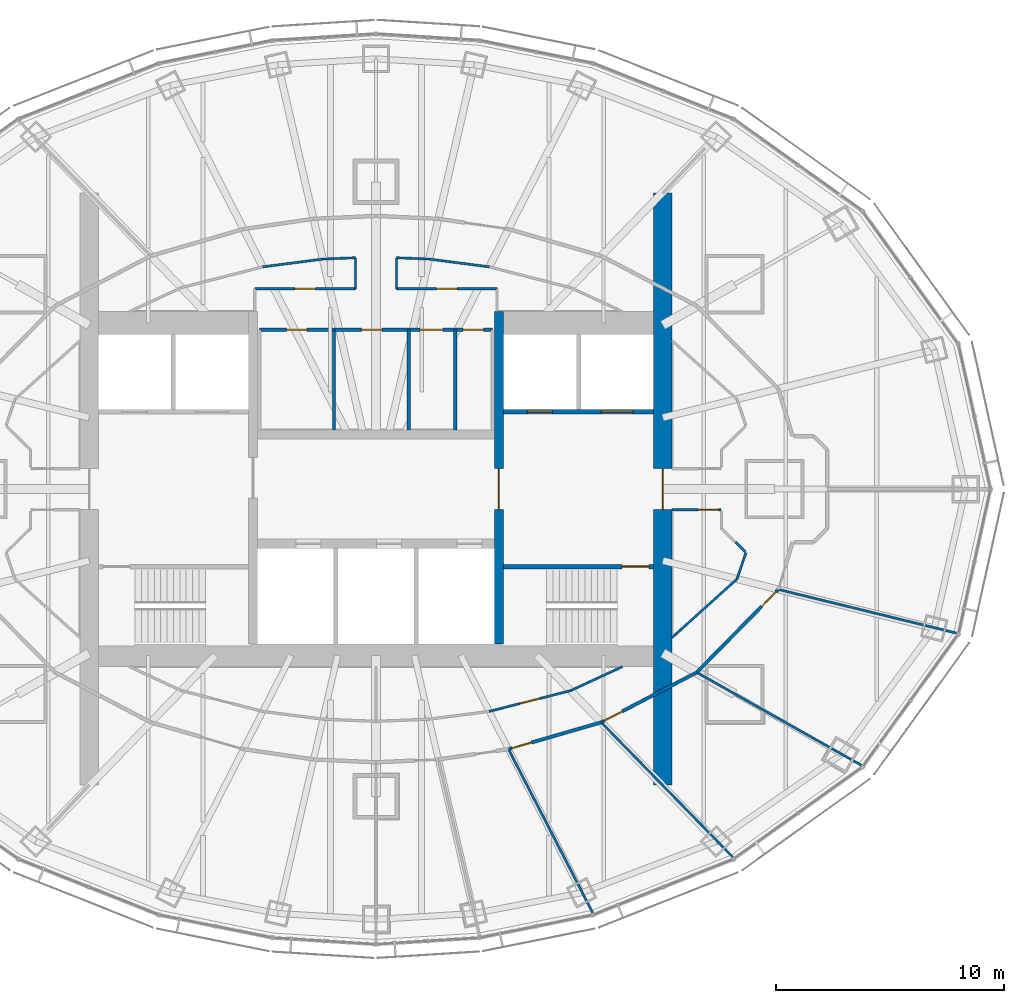
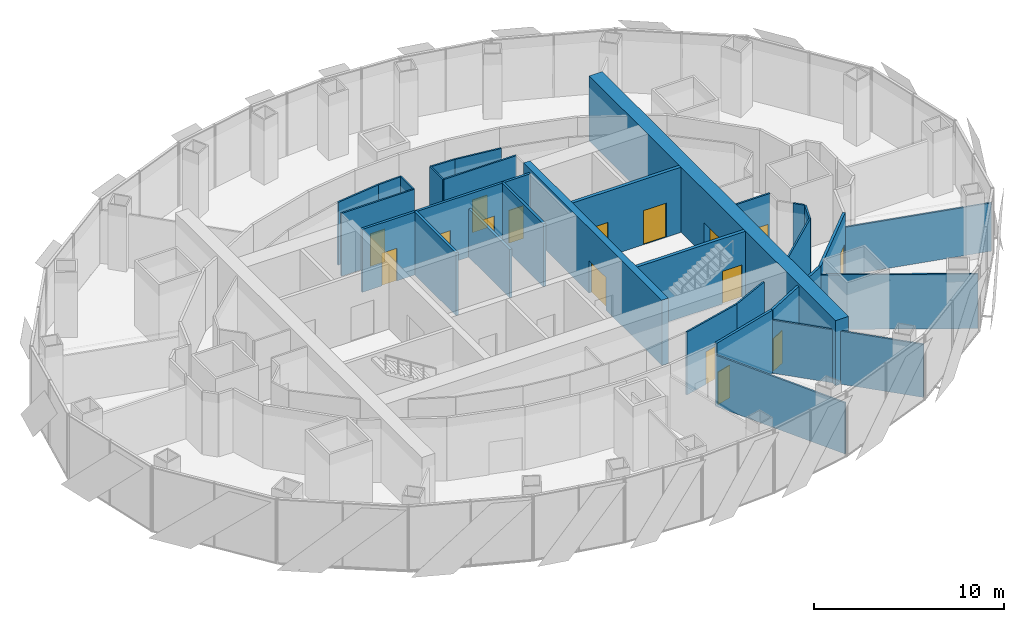
# One storey, part 13 of 17: 29 walls, 16 doors, 16 openings.
"""IFC4 building model written with IfcOpenShell, lengths in metres."""

from ifc_helpers import new_model, si_unit, direction, frame, frame_2d, origin, place, context, subcontext, project, spatial, rectangle, extrude, material, layer, layer_set, type_object, element, fill, save


model = new_model("IFC4")

# Units and contexts
model_context = context("Model", 3, precision=1e-05, world=origin(), true_north=direction((0.0, 1.0)))
body_context = subcontext(model_context, "Body", "Model", "MODEL_VIEW")
ifc_project = project(units=[si_unit("LENGTHUNIT", "METRE"), si_unit("AREAUNIT", "SQUARE_METRE"), si_unit("VOLUMEUNIT", "CUBIC_METRE"), si_unit("PLANEANGLEUNIT", "RADIAN"), si_unit("MASSUNIT", "GRAM", prefix="KILO")], contexts=[model_context])

# Site, building, storey
site_placement = place(None, origin())
site = spatial("IfcSite", under=ifc_project, at=site_placement, CompositionType="ELEMENT")
building_placement = place(site_placement, origin())
building = spatial("IfcBuilding", under=site, at=building_placement, Name="Lantaw Convention Tower", CompositionType="ELEMENT")
storey_placement = place(building_placement, frame((0.0, 0.0, 224.199951171875)))
storey = spatial("IfcBuildingStorey", under=building, at=storey_placement, Name="L52", CompositionType="ELEMENT", Elevation=224.199951171875)

# Wall, opening, door
ifc_material_1 = material(Name="Concrete C60/75", Category="concrete")
ifc_layer_1 = layer(ifc_material_1, 0.199951171875)
ifc_layer_set_1 = layer_set([ifc_layer_1], Name="Core wall 200")
wall_type_1 = type_object("IfcWallType", Name="Core wall 200", PredefinedType="SHEAR", material=ifc_layer_set_1)
wall_1_placement = place(storey_placement, frame((5.60009765625, -3.39990234375, 0.0), z_axis=(0.0, 0.0, 1.0), x_axis=(1.0, 0.0, 0.0)))
wall_1 = element("IfcWall", 1, at=wall_1_placement, inside=storey, type_object=wall_type_1, Name="Core wall ES", PredefinedType="SHEAR", context=body_context, shape_type="SweptSolid", body=[
    extrude(rectangle(XDim=6.599853515625, YDim=0.199951171875, at=frame_2d((3.2998046875, 0.0))), origin(), (0.0, 0.0, 1.0), 4.199951171875),
])
opening_1_placement = place(wall_1_placement, frame((5.199951171875, 0.0, 0.0)))
opening_1 = element("IfcOpeningElement", 2, at=opening_1_placement, cuts=wall_1, Name="Opening L52.03", PredefinedType="OPENING", context=body_context, shape_type="SweptSolid", body=[
    extrude(rectangle(XDim=1.199951171875, YDim=2.10009765625, at=frame_2d((0.60009765625, 1.050048828125))), frame((0.0, 0.10986328125, 0.0), z_axis=(0.0, -1.0, 0.0), x_axis=(1.0, 0.0, 0.0)), (0.0, 0.0, 1.0), 0.219970703125),
])
ifc_material_2 = material(Name="Steel, fire rated", Category="steel")
door_type_1 = type_object("IfcDoorType", Name="Stair door FD90", OperationType="SINGLE_SWING_RIGHT", PredefinedType="DOOR", material=ifc_material_2)
door_1_placement = place(opening_1_placement, origin())
door_1 = element("IfcDoor", 3, at=door_1_placement, inside=storey, type_object=door_type_1, Name="Exit stair door", OperationType="SINGLE_SWING_RIGHT", OverallHeight=2.10009765625, OverallWidth=1.199951171875, PredefinedType="DOOR", context=body_context, shape_type="SweptSolid", body=[
    extrude(rectangle(XDim=1.199951171875, YDim=2.10009765625, at=frame_2d((0.60009765625, 1.050048828125))), frame((0.0, 0.02490234375, 0.0), z_axis=(0.0, -1.0, 0.0), x_axis=(1.0, 0.0, 0.0)), (0.0, 0.0, 1.0), 0.050048828125),
])
fill(opening_1, door_1)

ifc_layer_2 = layer(ifc_material_1, 0.39990234375)
ifc_layer_set_2 = layer_set([ifc_layer_2], Name="Core wall 400")
wall_type_2 = type_object("IfcWallType", Name="Core wall 400", PredefinedType="SHEAR", material=ifc_layer_set_2)
wall_2_placement = place(storey_placement, frame((5.39990234375, -6.800048828125, 0.0), z_axis=(0.0, 0.0, 1.0), x_axis=(0.0, 1.0, 0.0)))
wall_2 = element("IfcWall", 4, at=wall_2_placement, inside=storey, type_object=wall_type_2, Name="Core wall XE", PredefinedType="SHEAR", context=body_context, shape_type="SweptSolid", body=[
    extrude(rectangle(XDim=14.60009765625, YDim=0.39990234375, at=frame_2d((7.300048828125, 0.0))), origin(), (0.0, 0.0, 1.0), 4.199951171875),
])
opening_2_placement = place(wall_2_placement, frame((5.89990234375, 0.0, 0.0)))
opening_2 = element("IfcOpeningElement", 5, at=opening_2_placement, cuts=wall_2, Name="Opening L52.01", PredefinedType="OPENING", context=body_context, shape_type="SweptSolid", body=[
    extrude(rectangle(XDim=1.800048828125, YDim=2.10009765625, at=frame_2d((0.89990234375, 1.050048828125))), frame((0.0, 0.2099609375, 0.0), z_axis=(0.0, -1.0, 0.0), x_axis=(1.0, 0.0, 0.0)), (0.0, 0.0, 1.0), 0.419921875),
])
door_type_2 = type_object("IfcDoorType", Name="Lobby double door FD90", OperationType="DOUBLE_DOOR_DOUBLE_SWING", PredefinedType="DOOR", material=ifc_material_2)
door_2_placement = place(opening_2_placement, origin())
door_2 = element("IfcDoor", 6, at=door_2_placement, inside=storey, type_object=door_type_2, Name="Lift lobby door", OperationType="DOUBLE_DOOR_DOUBLE_SWING", OverallHeight=2.10009765625, OverallWidth=1.800048828125, PredefinedType="DOOR", context=body_context, shape_type="SweptSolid", body=[
    extrude(rectangle(XDim=1.800048828125, YDim=2.10009765625, at=frame_2d((0.89990234375, 1.050048828125))), frame((0.0, 0.02490234375, 0.0), z_axis=(0.0, -1.0, 0.0), x_axis=(1.0, 0.0, 0.0)), (0.0, 0.0, 1.0), 0.050048828125),
])
fill(opening_2, door_2)

ifc_layer_3 = layer(ifc_material_1, 0.800048828125)
ifc_layer_set_3 = layer_set([ifc_layer_3], Name="Core wall 800")
wall_type_3 = type_object("IfcWallType", Name="Core wall 800", PredefinedType="SHEAR", material=ifc_layer_set_3)
wall_3_placement = place(storey_placement, frame((12.60009765625, -13.0, 0.0), z_axis=(0.0, 0.0, 1.0), x_axis=(0.0, 1.0, 0.0)))
wall_3 = element("IfcWall", 7, at=wall_3_placement, inside=storey, type_object=wall_type_3, Name="Core wall E", PredefinedType="SHEAR", context=body_context, shape_type="SweptSolid", body=[
    extrude(rectangle(XDim=26.0, YDim=0.800048828125, at=frame_2d((13.0, 0.0))), origin(), (0.0, 0.0, 1.0), 4.199951171875),
])
opening_3_placement = place(wall_3_placement, frame((12.10009765625, 0.0, 0.0)))
opening_3 = element("IfcOpeningElement", 8, at=opening_3_placement, cuts=wall_3, Name="Opening L52.05", PredefinedType="OPENING", context=body_context, shape_type="SweptSolid", body=[
    extrude(rectangle(XDim=1.800048828125, YDim=2.10009765625, at=frame_2d((0.89990234375, 1.050048828125))), frame((0.0, 0.409912109375, 0.0), z_axis=(0.0, -1.0, 0.0), x_axis=(1.0, 0.0, 0.0)), (0.0, 0.0, 1.0), 0.820068359375),
])
door_3_placement = place(opening_3_placement, origin())
door_3 = element("IfcDoor", 9, at=door_3_placement, inside=storey, type_object=door_type_2, Name="Firefighting lobby door", OperationType="DOUBLE_DOOR_DOUBLE_SWING", OverallHeight=2.10009765625, OverallWidth=1.800048828125, PredefinedType="DOOR", context=body_context, shape_type="SweptSolid", body=[
    extrude(rectangle(XDim=1.800048828125, YDim=2.10009765625, at=frame_2d((0.89990234375, 1.050048828125))), frame((0.0, 0.02490234375, 0.0), z_axis=(0.0, -1.0, 0.0), x_axis=(1.0, 0.0, 0.0)), (0.0, 0.0, 1.0), 0.050048828125),
])
fill(opening_3, door_3)

ifc_material_3 = material(Name="Gypsum board on steel studs, fire rated", Category="steel")
ifc_layer_4 = layer(ifc_material_3, 0.14990234375)
ifc_layer_set_4 = layer_set([ifc_layer_4], Name="Corridor wall 150 EI 60")
wall_type_4 = type_object("IfcWallType", Name="Corridor wall 150 EI 60", PredefinedType="PARTITIONING", material=ifc_layer_set_4)
wall_4_placement = place(storey_placement, frame((5.8203125, -11.423095703125, 0.0), z_axis=(0.0, 0.0, 1.0), x_axis=(0.960614838378, 0.27788330696, 0.0)))
wall_4 = element("IfcWall", 10, at=wall_4_placement, inside=storey, type_object=wall_type_4, Name="Corridor wall 150", PredefinedType="PARTITIONING", context=body_context, shape_type="SweptSolid", body=[
    extrude(rectangle(XDim=4.239990234375, YDim=0.14990234375, at=frame_2d((2.1201171875, 0.0))), origin(), (0.0, 0.0, 1.0), 4.050048828125),
])
opening_4_placement = place(wall_4_placement, frame((0.14990234375, 0.0, 0.0)))
opening_4 = element("IfcOpeningElement", 11, at=opening_4_placement, cuts=wall_4, Name="Opening L52.32", PredefinedType="OPENING", context=body_context, shape_type="SweptSolid", body=[
    extrude(rectangle(XDim=0.89990234375, YDim=2.10009765625, at=frame_2d((0.449951171875, 1.050048828125))), frame((0.0, 0.0849609375, 0.0), z_axis=(0.0, -1.0, 0.0), x_axis=(1.0, 0.0, 0.0)), (0.0, 0.0, 1.0), 0.169921875),
])
door_type_3 = type_object("IfcDoorType", Name="Office door 900 FD30", OperationType="SINGLE_SWING_LEFT", PredefinedType="DOOR", material=ifc_material_2)
door_4_placement = place(opening_4_placement, origin())
door_4 = element("IfcDoor", 12, at=door_4_placement, inside=storey, type_object=door_type_3, Name="Quiet room door", OperationType="SINGLE_SWING_LEFT", OverallHeight=2.10009765625, OverallWidth=0.89990234375, PredefinedType="DOOR", context=body_context, shape_type="SweptSolid", body=[
    extrude(rectangle(XDim=0.89990234375, YDim=2.10009765625, at=frame_2d((0.449951171875, 1.050048828125))), frame((0.0, 0.02490234375, 0.0), z_axis=(0.0, -1.0, 0.0), x_axis=(1.0, 0.0, 0.0)), (0.0, 0.0, 1.0), 0.050048828125),
])
fill(opening_4, door_4)

wall_5_placement = place(storey_placement, frame((9.893310546875, -10.244873046875, 0.0), z_axis=(0.0, 0.0, 1.0), x_axis=(0.886174439647, 0.463351769735, 0.0)))
wall_5 = element("IfcWall", 13, at=wall_5_placement, inside=storey, type_object=wall_type_4, Name="Corridor wall 150", PredefinedType="PARTITIONING", context=body_context, shape_type="SweptSolid", body=[
    extrude(rectangle(XDim=4.734619140625, YDim=0.14990234375, at=frame_2d((2.3671875, 0.0))), origin(), (0.0, 0.0, 1.0), 4.050048828125),
])
opening_5_placement = place(wall_5_placement, frame((0.14990234375, 0.0, 0.0)))
opening_5 = element("IfcOpeningElement", 14, at=opening_5_placement, cuts=wall_5, Name="Opening L52.33", PredefinedType="OPENING", context=body_context, shape_type="SweptSolid", body=[
    extrude(rectangle(XDim=0.89990234375, YDim=2.10009765625, at=frame_2d((0.449951171875, 1.050048828125))), frame((0.0, 0.0849609375, 0.0), z_axis=(0.0, -1.0, 0.0), x_axis=(1.0, 0.0, 0.0)), (0.0, 0.0, 1.0), 0.169921875),
])
door_5_placement = place(opening_5_placement, origin())
door_5 = element("IfcDoor", 15, at=door_5_placement, inside=storey, type_object=door_type_3, Name="Nap room door", OperationType="SINGLE_SWING_LEFT", OverallHeight=2.10009765625, OverallWidth=0.89990234375, PredefinedType="DOOR", context=body_context, shape_type="SweptSolid", body=[
    extrude(rectangle(XDim=0.89990234375, YDim=2.10009765625, at=frame_2d((0.449951171875, 1.050048828125))), frame((0.0, 0.02490234375, 0.0), z_axis=(0.0, -1.0, 0.0), x_axis=(1.0, 0.0, 0.0)), (0.0, 0.0, 1.0), 0.050048828125),
])
fill(opening_5, door_5)

wall_6_placement = place(storey_placement, frame((14.089111328125, -8.051025390625, 0.0), z_axis=(0.0, 0.0, 1.0), x_axis=(0.701111216625, 0.713051934941, 0.0)))
wall_6 = element("IfcWall", 16, at=wall_6_placement, inside=storey, type_object=wall_type_4, Name="Corridor wall 150", PredefinedType="PARTITIONING", context=body_context, shape_type="SweptSolid", body=[
    extrude(rectangle(XDim=5.111572265625, YDim=0.14990234375, at=frame_2d((2.5556640625, 0.0))), origin(), (0.0, 0.0, 1.0), 4.050048828125),
])
opening_6_placement = place(wall_6_placement, frame((4.061279296875, 0.0, 0.0)))
opening_6 = element("IfcOpeningElement", 17, at=opening_6_placement, cuts=wall_6, Name="Opening L52.34", PredefinedType="OPENING", context=body_context, shape_type="SweptSolid", body=[
    extrude(rectangle(XDim=0.89990234375, YDim=2.10009765625, at=frame_2d((0.449951171875, 1.050048828125))), frame((0.0, 0.0849609375, 0.0), z_axis=(0.0, -1.0, 0.0), x_axis=(1.0, 0.0, 0.0)), (0.0, 0.0, 1.0), 0.169921875),
])
door_6_placement = place(opening_6_placement, origin())
door_6 = element("IfcDoor", 18, at=door_6_placement, inside=storey, type_object=door_type_3, Name="Wellness room door", OperationType="SINGLE_SWING_LEFT", OverallHeight=2.10009765625, OverallWidth=0.89990234375, PredefinedType="DOOR", context=body_context, shape_type="SweptSolid", body=[
    extrude(rectangle(XDim=0.89990234375, YDim=2.10009765625, at=frame_2d((0.449951171875, 1.050048828125))), frame((0.0, 0.02490234375, 0.0), z_axis=(0.0, -1.0, 0.0), x_axis=(1.0, 0.0, 0.0)), (0.0, 0.0, 1.0), 0.050048828125),
])
fill(opening_6, door_6)

# Walls
ifc_material_4 = material(Name="Gypsum board on steel studs, acoustic", Category="steel")
ifc_layer_5 = layer(ifc_material_4, 0.10009765625)
ifc_layer_set_5 = layer_set([ifc_layer_5], Name="Office partition 100")
wall_type_5 = type_object("IfcWallType", Name="Office partition 100", PredefinedType="PARTITIONING", material=ifc_layer_set_5)
wall_7_placement = place(storey_placement, frame((9.539306640625, -18.650390625, 0.0), z_axis=(0.0, 0.0, 1.0), x_axis=(-0.457552286462, 0.88918271753, 0.0)))
element("IfcWall", 19, at=wall_7_placement, inside=storey, type_object=wall_type_5, Name="Office partition 100", PredefinedType="PARTITIONING", context=body_context, shape_type="SweptSolid", body=[
    extrude(rectangle(XDim=8.1279296875, YDim=0.10009765625, at=frame_2d((4.06396484375, 0.0))), origin(), (0.0, 0.0, 1.0), 3.293212890625),
])
wall_8_placement = place(storey_placement, frame((15.709228515625, -16.198974609375, 0.0), z_axis=(0.0, 0.0, 1.0), x_axis=(-0.69875697861, 0.715359129978, 0.0)))
element("IfcWall", 20, at=wall_8_placement, inside=storey, type_object=wall_type_5, Name="Office partition 100", PredefinedType="PARTITIONING", context=body_context, shape_type="SweptSolid", body=[
    extrude(rectangle(XDim=8.3232421875, YDim=0.10009765625, at=frame_2d((4.16162109375, 0.0))), origin(), (0.0, 0.0, 1.0), 3.409912109375),
])
wall_9_placement = place(storey_placement, frame((21.3583984375, -12.149658203125, 0.0), z_axis=(0.0, 0.0, 1.0), x_axis=(-0.871080529249, 0.491140215786, 0.0)))
element("IfcWall", 21, at=wall_9_placement, inside=storey, type_object=wall_type_5, Name="Office partition 100", PredefinedType="PARTITIONING", context=body_context, shape_type="SweptSolid", body=[
    extrude(rectangle(XDim=8.34521484375, YDim=0.10009765625, at=frame_2d((4.172607421875, 0.0))), origin(), (0.0, 0.0, 1.0), 3.521728515625),
])
wall_10_placement = place(storey_placement, frame((25.542724609375, -6.335693359375, 0.0), z_axis=(0.0, 0.0, 1.0), x_axis=(-0.97123661777, 0.238116425942, 0.0)))
element("IfcWall", 22, at=wall_10_placement, inside=storey, type_object=wall_type_5, Name="Office partition 100", PredefinedType="PARTITIONING", context=body_context, shape_type="SweptSolid", body=[
    extrude(rectangle(XDim=8.10302734375, YDim=0.10009765625, at=frame_2d((4.051513671875, 0.0))), origin(), (0.0, 0.0, 1.0), 3.107666015625),
])

# Wall, opening, door
wall_11_placement = place(storey_placement, frame((8.547607421875, -8.851318359375, 0.0), z_axis=(0.0, 0.0, 1.0), x_axis=(-0.968887312542, -0.247502273921, 0.0)))
wall_11 = element("IfcWall", 23, at=wall_11_placement, inside=storey, type_object=wall_type_5, Name="Office partition 100", PredefinedType="PARTITIONING", context=body_context, shape_type="SweptSolid", body=[
    extrude(rectangle(XDim=3.687255859375, YDim=0.10009765625, at=frame_2d((1.84375, 0.0))), origin(), (0.0, 0.0, 1.0), 4.050048828125),
])
opening_7_placement = place(wall_11_placement, frame((1.393798828125, 0.0, 0.0)))
opening_7 = element("IfcOpeningElement", 24, at=opening_7_placement, cuts=wall_11, Name="Opening L52.20", PredefinedType="OPENING", context=body_context, shape_type="SweptSolid", body=[
    extrude(rectangle(XDim=0.89990234375, YDim=2.10009765625, at=frame_2d((0.449951171875, 1.050048828125))), frame((0.0, 0.06005859375, 0.0), z_axis=(0.0, -1.0, 0.0), x_axis=(1.0, 0.0, 0.0)), (0.0, 0.0, 1.0), 0.1201171875),
])
ifc_material_5 = material(Name="Timber", Category="wood")
door_type_4 = type_object("IfcDoorType", Name="Office door 900", OperationType="SINGLE_SWING_LEFT", PredefinedType="DOOR", material=ifc_material_5)
door_7_placement = place(opening_7_placement, origin())
door_7 = element("IfcDoor", 25, at=door_7_placement, inside=storey, type_object=door_type_4, Name="Tenant storage room door", OperationType="SINGLE_SWING_LEFT", OverallHeight=2.10009765625, OverallWidth=0.89990234375, PredefinedType="DOOR", context=body_context, shape_type="SweptSolid", body=[
    extrude(rectangle(XDim=0.89990234375, YDim=2.10009765625, at=frame_2d((0.449951171875, 1.050048828125))), frame((0.0, 0.02490234375, 0.0), z_axis=(0.0, -1.0, 0.0), x_axis=(1.0, 0.0, 0.0)), (0.0, 0.0, 1.0), 0.050048828125),
])
fill(opening_7, door_7)

# Walls
wall_12_placement = place(storey_placement, frame((10.822509765625, -7.800048828125, 0.0), z_axis=(0.0, 0.0, 1.0), x_axis=(-0.907759689292, -0.419490579748, 0.0)))
element("IfcWall", 26, at=wall_12_placement, inside=storey, type_object=wall_type_5, Name="Office partition 100", PredefinedType="PARTITIONING", context=body_context, shape_type="SweptSolid", body=[
    extrude(rectangle(XDim=2.506103515625, YDim=0.10009765625, at=frame_2d((1.2529296875, 0.0))), origin(), (0.0, 0.0, 1.0), 4.050048828125),
])
wall_13_placement = place(storey_placement, frame((15.855712890625, -3.953369140625, 0.0), z_axis=(0.0, 0.0, 1.0), x_axis=(-0.743177243228, -0.669094601046, 0.0)))
element("IfcWall", 27, at=wall_13_placement, inside=storey, type_object=wall_type_5, Name="Office partition 100", PredefinedType="PARTITIONING", context=body_context, shape_type="SweptSolid", body=[
    extrude(rectangle(XDim=3.842529296875, YDim=0.10009765625, at=frame_2d((1.92138671875, 0.0))), origin(), (0.0, 0.0, 1.0), 4.050048828125),
])

# Wall, opening, door
wall_14_placement = place(storey_placement, frame((5.320068359375, 8.800048828125, 0.0), z_axis=(0.0, 0.0, 1.0), x_axis=(-1.0, 0.0, 0.0)))
wall_14 = element("IfcWall", 28, at=wall_14_placement, inside=storey, type_object=wall_type_5, Name="Office partition 100", PredefinedType="PARTITIONING", context=body_context, shape_type="SweptSolid", body=[
    extrude(rectangle(XDim=4.420166015625, YDim=0.10009765625, at=frame_2d((2.2099609375, 0.0))), origin(), (0.0, 0.0, 1.0), 4.050048828125),
])
opening_8_placement = place(wall_14_placement, frame((1.760009765625, 0.0, 0.0)))
opening_8 = element("IfcOpeningElement", 29, at=opening_8_placement, cuts=wall_14, Name="Opening L52.23", PredefinedType="OPENING", context=body_context, shape_type="SweptSolid", body=[
    extrude(rectangle(XDim=0.89990234375, YDim=2.10009765625, at=frame_2d((0.449951171875, 1.050048828125))), frame((0.0, 0.06005859375, 0.0), z_axis=(0.0, -1.0, 0.0), x_axis=(1.0, 0.0, 0.0)), (0.0, 0.0, 1.0), 0.1201171875),
])
door_8_placement = place(opening_8_placement, origin())
door_8 = element("IfcDoor", 30, at=door_8_placement, inside=storey, type_object=door_type_4, Name="Project room door", OperationType="SINGLE_SWING_LEFT", OverallHeight=2.10009765625, OverallWidth=0.89990234375, PredefinedType="DOOR", context=body_context, shape_type="SweptSolid", body=[
    extrude(rectangle(XDim=0.89990234375, YDim=2.10009765625, at=frame_2d((0.449951171875, 1.050048828125))), frame((0.0, 0.02490234375, 0.0), z_axis=(0.0, -1.0, 0.0), x_axis=(1.0, 0.0, 0.0)), (0.0, 0.0, 1.0), 0.050048828125),
])
fill(opening_8, door_8)

# Walls
wall_15_placement = place(storey_placement, frame((0.89990234375, 8.800048828125, 0.0), z_axis=(0.0, 0.0, 1.0), x_axis=(0.0, 1.0, 0.0)))
element("IfcWall", 31, at=wall_15_placement, inside=storey, type_object=wall_type_5, Name="Office partition 100", PredefinedType="PARTITIONING", context=body_context, shape_type="SweptSolid", body=[
    extrude(rectangle(XDim=1.363525390625, YDim=0.10009765625, at=frame_2d((0.681640625, 0.0))), origin(), (0.0, 0.0, 1.0), 4.050048828125),
])
wall_16_placement = place(storey_placement, frame((0.89990234375, 10.16357421875, 0.0), z_axis=(0.0, 0.0, 1.0), x_axis=(0.999185933422, -0.040341919288, 0.0)))
element("IfcWall", 32, at=wall_16_placement, inside=storey, type_object=wall_type_5, Name="Office partition 100", PredefinedType="PARTITIONING", context=body_context, shape_type="SweptSolid", body=[
    extrude(rectangle(XDim=1.434326171875, YDim=0.10009765625, at=frame_2d((0.71728515625, 0.0))), origin(), (0.0, 0.0, 1.0), 4.050048828125),
])
for number, where, z_axis, x_axis, name in (
    (33, (2.3330078125, 10.105712890625, 0.0), (0.0, 0.0, 1.0), (0.99173579163, -0.128296997624, 0.0), "Office partition 100"),
    (34, (-4.97509765625, 9.763916015625, 0.0), (0.0, 0.0, 1.0), (0.99173579163, 0.128296997624, 0.0), "Office partition 100"),
):
    element("IfcWall", number, at=place(storey_placement, frame(where, z_axis=z_axis, x_axis=x_axis)), inside=storey, type_object=wall_type_5, Name=name, PredefinedType="PARTITIONING", context=body_context, shape_type="SweptSolid", body=[
        extrude(rectangle(XDim=2.6640625, YDim=0.10009765625, at=frame_2d((1.33203125, 0.0))), origin(), (0.0, 0.0, 1.0), 4.050048828125),
    ])
wall_17_placement = place(storey_placement, frame((-2.3330078125, 10.105712890625, 0.0), z_axis=(0.0, 0.0, 1.0), x_axis=(0.999185933422, 0.040341919288, 0.0)))
element("IfcWall", 35, at=wall_17_placement, inside=storey, type_object=wall_type_5, Name="Office partition 100", PredefinedType="PARTITIONING", context=body_context, shape_type="SweptSolid", body=[
    extrude(rectangle(XDim=1.434326171875, YDim=0.10009765625, at=frame_2d((0.71728515625, 0.0))), origin(), (0.0, 0.0, 1.0), 4.050048828125),
])
wall_18_placement = place(storey_placement, frame((-0.89990234375, 10.16357421875, 0.0), z_axis=(0.0, 0.0, 1.0), x_axis=(0.0, -1.0, 0.0)))
element("IfcWall", 36, at=wall_18_placement, inside=storey, type_object=wall_type_5, Name="Office partition 100", PredefinedType="PARTITIONING", context=body_context, shape_type="SweptSolid", body=[
    extrude(rectangle(XDim=1.363525390625, YDim=0.10009765625, at=frame_2d((0.681640625, 0.0))), origin(), (0.0, 0.0, 1.0), 4.050048828125),
])

# Wall, opening, door
wall_19_placement = place(storey_placement, frame((-0.89990234375, 8.800048828125, 0.0), z_axis=(0.0, 0.0, 1.0), x_axis=(-1.0, 0.0, 0.0)))
wall_19 = element("IfcWall", 37, at=wall_19_placement, inside=storey, type_object=wall_type_5, Name="Office partition 100", PredefinedType="PARTITIONING", context=body_context, shape_type="SweptSolid", body=[
    extrude(rectangle(XDim=4.420166015625, YDim=0.10009765625, at=frame_2d((2.2099609375, 0.0))), origin(), (0.0, 0.0, 1.0), 4.050048828125),
])
opening_9_placement = place(wall_19_placement, frame((1.760009765625, 0.0, 0.0)))
opening_9 = element("IfcOpeningElement", 38, at=opening_9_placement, cuts=wall_19, Name="Opening L52.24", PredefinedType="OPENING", context=body_context, shape_type="SweptSolid", body=[
    extrude(rectangle(XDim=0.89990234375, YDim=2.10009765625, at=frame_2d((0.449951171875, 1.050048828125))), frame((0.0, 0.06005859375, 0.0), z_axis=(0.0, -1.0, 0.0), x_axis=(1.0, 0.0, 0.0)), (0.0, 0.0, 1.0), 0.1201171875),
])
door_9_placement = place(opening_9_placement, origin())
door_9 = element("IfcDoor", 39, at=door_9_placement, inside=storey, type_object=door_type_4, Name="Meeting room door", OperationType="SINGLE_SWING_LEFT", OverallHeight=2.10009765625, OverallWidth=0.89990234375, PredefinedType="DOOR", context=body_context, shape_type="SweptSolid", body=[
    extrude(rectangle(XDim=0.89990234375, YDim=2.10009765625, at=frame_2d((0.449951171875, 1.050048828125))), frame((0.0, 0.02490234375, 0.0), z_axis=(0.0, -1.0, 0.0), x_axis=(1.0, 0.0, 0.0)), (0.0, 0.0, 1.0), 0.050048828125),
])
fill(opening_9, door_9)

wall_20_placement = place(storey_placement, frame((13.0, -0.89990234375, 0.0), z_axis=(0.0, 0.0, 1.0), x_axis=(1.0, 0.0, 0.0)))
wall_20 = element("IfcWall", 40, at=wall_20_placement, inside=storey, type_object=wall_type_5, Name="Office partition 100", PredefinedType="PARTITIONING", context=body_context, shape_type="SweptSolid", body=[
    extrude(rectangle(XDim=2.1650390625, YDim=0.10009765625, at=frame_2d((1.08251953125, 0.0))), origin(), (0.0, 0.0, 1.0), 4.050048828125),
])
opening_10_placement = place(wall_20_placement, frame((1.14990234375, 0.0, 0.0)))
opening_10 = element("IfcOpeningElement", 41, at=opening_10_placement, cuts=wall_20, Name="Opening L52.21", PredefinedType="OPENING", context=body_context, shape_type="SweptSolid", body=[
    extrude(rectangle(XDim=0.89990234375, YDim=2.10009765625, at=frame_2d((0.449951171875, 1.050048828125))), frame((0.0, 0.06005859375, 0.0), z_axis=(0.0, -1.0, 0.0), x_axis=(1.0, 0.0, 0.0)), (0.0, 0.0, 1.0), 0.1201171875),
])
door_10_placement = place(opening_10_placement, origin())
door_10 = element("IfcDoor", 42, at=door_10_placement, inside=storey, type_object=door_type_4, Name="Meeting room door", OperationType="SINGLE_SWING_LEFT", OverallHeight=2.10009765625, OverallWidth=0.89990234375, PredefinedType="DOOR", context=body_context, shape_type="SweptSolid", body=[
    extrude(rectangle(XDim=0.89990234375, YDim=2.10009765625, at=frame_2d((0.449951171875, 1.050048828125))), frame((0.0, 0.02490234375, 0.0), z_axis=(0.0, -1.0, 0.0), x_axis=(1.0, 0.0, 0.0)), (0.0, 0.0, 1.0), 0.050048828125),
])
fill(opening_10, door_10)

# Walls
wall_21_placement = place(storey_placement, frame((16.249267578125, -2.7958984375, 0.0), z_axis=(0.0, 0.0, 1.0), x_axis=(-0.321913473529, -0.946769093053, 0.0)))
element("IfcWall", 43, at=wall_21_placement, inside=storey, type_object=wall_type_5, Name="Office partition 100", PredefinedType="PARTITIONING", context=body_context, shape_type="SweptSolid", body=[
    extrude(rectangle(XDim=1.22265625, YDim=0.10009765625, at=frame_2d((0.611328125, 0.0))), origin(), (0.0, 0.0, 1.0), 4.050048828125),
])
wall_22_placement = place(storey_placement, frame((16.22265625, -2.755126953125, 0.0), z_axis=(0.0, 0.0, 1.0), x_axis=(-0.707106781187, 0.707106781187, 0.0)))
element("IfcWall", 44, at=wall_22_placement, inside=storey, type_object=wall_type_5, Name="Office partition 100", PredefinedType="PARTITIONING", context=body_context, shape_type="SweptSolid", body=[
    extrude(rectangle(XDim=0.6083984375, YDim=0.10009765625, at=frame_2d((0.30419921875, 0.0))), origin(), (0.0, 0.0, 1.0), 4.050048828125),
])

# Wall, openings, doors
ifc_material_6 = material(Name="Concrete blockwork, fire rated", Category="masonry")
ifc_layer_6 = layer(ifc_material_6, 0.199951171875)
ifc_layer_set_6 = layer_set([ifc_layer_6], Name="Shaft wall 200")
wall_type_6 = type_object("IfcWallType", Name="Shaft wall 200", PredefinedType="SOLIDWALL", material=ifc_layer_set_6)
wall_23_placement = place(storey_placement, frame((12.199951171875, 3.39990234375, 0.0), z_axis=(0.0, 0.0, 1.0), x_axis=(-1.0, 0.0, 0.0)))
wall_23 = element("IfcWall", 45, at=wall_23_placement, inside=storey, type_object=wall_type_6, Name="Shaft wall EN", PredefinedType="SOLIDWALL", context=body_context, shape_type="SweptSolid", body=[
    extrude(rectangle(XDim=6.599853515625, YDim=0.199951171875, at=frame_2d((3.2998046875, 0.0))), origin(), (0.0, 0.0, 1.0), 4.199951171875),
])
opening_11_placement = place(wall_23_placement, frame((4.449951171875, 0.0, 0.0)))
opening_11 = element("IfcOpeningElement", 46, at=opening_11_placement, cuts=wall_23, Name="Opening L52.12", PredefinedType="OPENING", context=body_context, shape_type="SweptSolid", body=[
    extrude(rectangle(XDim=1.10009765625, YDim=2.199951171875, at=frame_2d((0.550048828125, 1.10009765625))), frame((0.0, 0.10986328125, 0.0), z_axis=(0.0, -1.0, 0.0), x_axis=(1.0, 0.0, 0.0)), (0.0, 0.0, 1.0), 0.219970703125),
])
opening_12_placement = place(wall_23_placement, frame((0.89990234375, 0.0, 0.0)))
opening_12 = element("IfcOpeningElement", 47, at=opening_12_placement, cuts=wall_23, Name="Opening L52.13", PredefinedType="OPENING", context=body_context, shape_type="SweptSolid", body=[
    extrude(rectangle(XDim=1.39990234375, YDim=2.199951171875, at=frame_2d((0.699951171875, 1.10009765625))), frame((0.0, 0.10986328125, 0.0), z_axis=(0.0, -1.0, 0.0), x_axis=(1.0, 0.0, 0.0)), (0.0, 0.0, 1.0), 0.219970703125),
])
ifc_material_7 = material(Name="Stainless steel", Category="steel")
door_type_5 = type_object("IfcDoorType", Name="Lift landing door 1100", OperationType="DOUBLE_DOOR_SLIDING", PredefinedType="DOOR", material=ifc_material_7)
door_11_placement = place(opening_11_placement, origin())
door_11 = element("IfcDoor", 48, at=door_11_placement, inside=storey, type_object=door_type_5, Name="Lift landing door FF2", OperationType="DOUBLE_DOOR_SLIDING", OverallHeight=2.199951171875, OverallWidth=1.10009765625, PredefinedType="DOOR", context=body_context, shape_type="SweptSolid", body=[
    extrude(rectangle(XDim=1.10009765625, YDim=2.199951171875, at=frame_2d((0.550048828125, 1.10009765625))), frame((0.0, 0.02490234375, 0.0), z_axis=(0.0, -1.0, 0.0), x_axis=(1.0, 0.0, 0.0)), (0.0, 0.0, 1.0), 0.050048828125),
])
fill(opening_11, door_11)
door_type_6 = type_object("IfcDoorType", Name="Lift landing door 1400", OperationType="DOUBLE_DOOR_SLIDING", PredefinedType="DOOR", material=ifc_material_7)
door_12_placement = place(opening_12_placement, origin())
door_12 = element("IfcDoor", 49, at=door_12_placement, inside=storey, type_object=door_type_6, Name="Lift landing door SV2", OperationType="DOUBLE_DOOR_SLIDING", OverallHeight=2.199951171875, OverallWidth=1.39990234375, PredefinedType="DOOR", context=body_context, shape_type="SweptSolid", body=[
    extrude(rectangle(XDim=1.39990234375, YDim=2.199951171875, at=frame_2d((0.699951171875, 1.10009765625))), frame((0.0, 0.02490234375, 0.0), z_axis=(0.0, -1.0, 0.0), x_axis=(1.0, 0.0, 0.0)), (0.0, 0.0, 1.0), 0.050048828125),
])
fill(opening_12, door_12)

ifc_material_8 = material(Name="Concrete blockwork", Category="masonry")
ifc_layer_7 = layer(ifc_material_8, 0.14990234375)
ifc_layer_set_7 = layer_set([ifc_layer_7], Name="WC wall 150")
wall_type_7 = type_object("IfcWallType", Name="WC wall 150", PredefinedType="SOLIDWALL", material=ifc_layer_set_7)
wall_24_placement = place(storey_placement, frame((-5.1201171875, 7.0, 0.0), z_axis=(0.0, 0.0, 1.0), x_axis=(1.0, 0.0, 0.0)))
wall_24 = element("IfcWall", 50, at=wall_24_placement, inside=storey, type_object=wall_type_7, Name="WC wall 150", PredefinedType="SOLIDWALL", context=body_context, shape_type="SweptSolid", body=[
    extrude(rectangle(XDim=10.240234375, YDim=0.14990234375, at=frame_2d((5.1201171875, 0.0))), origin(), (0.0, 0.0, 1.0), 4.050048828125),
])
opening_13_placement = place(wall_24_placement, frame((1.199951171875, 0.0, 0.0)))
opening_13 = element("IfcOpeningElement", 51, at=opening_13_placement, cuts=wall_24, Name="Opening L52.14", PredefinedType="OPENING", context=body_context, shape_type="SweptSolid", body=[
    extrude(rectangle(XDim=0.89990234375, YDim=2.10009765625, at=frame_2d((0.449951171875, 1.050048828125))), frame((0.0, 0.0849609375, 0.0), z_axis=(0.0, -1.0, 0.0), x_axis=(1.0, 0.0, 0.0)), (0.0, 0.0, 1.0), 0.169921875),
])
opening_14_placement = place(wall_24_placement, frame((4.476806640625, 0.0, 0.0)))
opening_14 = element("IfcOpeningElement", 52, at=opening_14_placement, cuts=wall_24, Name="Opening L52.15", PredefinedType="OPENING", context=body_context, shape_type="SweptSolid", body=[
    extrude(rectangle(XDim=0.89990234375, YDim=2.10009765625, at=frame_2d((0.449951171875, 1.050048828125))), frame((0.0, 0.0849609375, 0.0), z_axis=(0.0, -1.0, 0.0), x_axis=(1.0, 0.0, 0.0)), (0.0, 0.0, 1.0), 0.169921875),
])
opening_15_placement = place(wall_24_placement, frame((7.0537109375, 0.0, 0.0)))
opening_15 = element("IfcOpeningElement", 53, at=opening_15_placement, cuts=wall_24, Name="Opening L52.16", PredefinedType="OPENING", context=body_context, shape_type="SweptSolid", body=[
    extrude(rectangle(XDim=1.0, YDim=2.10009765625, at=frame_2d((0.5, 1.050048828125))), frame((0.0, 0.0849609375, 0.0), z_axis=(0.0, -1.0, 0.0), x_axis=(1.0, 0.0, 0.0)), (0.0, 0.0, 1.0), 0.169921875),
])
opening_16_placement = place(wall_24_placement, frame((8.95166015625, 0.0, 0.0)))
opening_16 = element("IfcOpeningElement", 54, at=opening_16_placement, cuts=wall_24, Name="Opening L52.17", PredefinedType="OPENING", context=body_context, shape_type="SweptSolid", body=[
    extrude(rectangle(XDim=0.89990234375, YDim=2.10009765625, at=frame_2d((0.449951171875, 1.050048828125))), frame((0.0, 0.0849609375, 0.0), z_axis=(0.0, -1.0, 0.0), x_axis=(1.0, 0.0, 0.0)), (0.0, 0.0, 1.0), 0.169921875),
])
door_type_7 = type_object("IfcDoorType", Name="Accessible WC door 1000", OperationType="SINGLE_SWING_LEFT", PredefinedType="DOOR", material=ifc_material_5)
door_13_placement = place(opening_15_placement, origin())
door_13 = element("IfcDoor", 55, at=door_13_placement, inside=storey, type_object=door_type_7, Name="Accessible WC door", OperationType="SINGLE_SWING_LEFT", OverallHeight=2.10009765625, OverallWidth=1.0, PredefinedType="DOOR", context=body_context, shape_type="SweptSolid", body=[
    extrude(rectangle(XDim=1.0, YDim=2.10009765625, at=frame_2d((0.5, 1.050048828125))), frame((0.0, 0.02490234375, 0.0), z_axis=(0.0, -1.0, 0.0), x_axis=(1.0, 0.0, 0.0)), (0.0, 0.0, 1.0), 0.050048828125),
])
fill(opening_15, door_13)
door_type_8 = type_object("IfcDoorType", Name="WC door 900", OperationType="SINGLE_SWING_LEFT", PredefinedType="DOOR", material=ifc_material_5)
door_14_placement = place(opening_13_placement, origin())
door_14 = element("IfcDoor", 56, at=door_14_placement, inside=storey, type_object=door_type_8, Name="Female WC door", OperationType="SINGLE_SWING_LEFT", OverallHeight=2.10009765625, OverallWidth=0.89990234375, PredefinedType="DOOR", context=body_context, shape_type="SweptSolid", body=[
    extrude(rectangle(XDim=0.89990234375, YDim=2.10009765625, at=frame_2d((0.449951171875, 1.050048828125))), frame((0.0, 0.02490234375, 0.0), z_axis=(0.0, -1.0, 0.0), x_axis=(1.0, 0.0, 0.0)), (0.0, 0.0, 1.0), 0.050048828125),
])
fill(opening_13, door_14)
door_15_placement = place(opening_14_placement, origin())
door_15 = element("IfcDoor", 57, at=door_15_placement, inside=storey, type_object=door_type_8, Name="Male WC door", OperationType="SINGLE_SWING_LEFT", OverallHeight=2.10009765625, OverallWidth=0.89990234375, PredefinedType="DOOR", context=body_context, shape_type="SweptSolid", body=[
    extrude(rectangle(XDim=0.89990234375, YDim=2.10009765625, at=frame_2d((0.449951171875, 1.050048828125))), frame((0.0, 0.02490234375, 0.0), z_axis=(0.0, -1.0, 0.0), x_axis=(1.0, 0.0, 0.0)), (0.0, 0.0, 1.0), 0.050048828125),
])
fill(opening_14, door_15)
door_16_placement = place(opening_16_placement, origin())
door_16 = element("IfcDoor", 58, at=door_16_placement, inside=storey, type_object=door_type_8, Name="Cleaner's store door", OperationType="SINGLE_SWING_LEFT", OverallHeight=2.10009765625, OverallWidth=0.89990234375, PredefinedType="DOOR", context=body_context, shape_type="SweptSolid", body=[
    extrude(rectangle(XDim=0.89990234375, YDim=2.10009765625, at=frame_2d((0.449951171875, 1.050048828125))), frame((0.0, 0.02490234375, 0.0), z_axis=(0.0, -1.0, 0.0), x_axis=(1.0, 0.0, 0.0)), (0.0, 0.0, 1.0), 0.050048828125),
])
fill(opening_16, door_16)

# Walls
wall_25_placement = place(storey_placement, frame((-1.84326171875, 2.60009765625, 0.0), z_axis=(0.0, 0.0, 1.0), x_axis=(0.0, 1.0, 0.0)))
element("IfcWall", 59, at=wall_25_placement, inside=storey, type_object=wall_type_7, Name="WC wall 150", PredefinedType="SOLIDWALL", context=body_context, shape_type="SweptSolid", body=[
    extrude(rectangle(XDim=4.39990234375, YDim=0.14990234375, at=frame_2d((2.199951171875, 0.0))), origin(), (0.0, 0.0, 1.0), 4.050048828125),
])
wall_26_placement = place(storey_placement, frame((1.43359375, 2.60009765625, 0.0), z_axis=(0.0, 0.0, 1.0), x_axis=(0.0, 1.0, 0.0)))
element("IfcWall", 60, at=wall_26_placement, inside=storey, type_object=wall_type_7, Name="WC wall 150", PredefinedType="SOLIDWALL", context=body_context, shape_type="SweptSolid", body=[
    extrude(rectangle(XDim=4.39990234375, YDim=0.14990234375, at=frame_2d((2.199951171875, 0.0))), origin(), (0.0, 0.0, 1.0), 3.107666015625),
])
wall_27_placement = place(storey_placement, frame((3.481689453125, 2.60009765625, 0.0), z_axis=(0.0, 0.0, 1.0), x_axis=(0.0, 1.0, 0.0)))
element("IfcWall", 61, at=wall_27_placement, inside=storey, type_object=wall_type_7, Name="WC wall 150", PredefinedType="SOLIDWALL", context=body_context, shape_type="SweptSolid", body=[
    extrude(rectangle(XDim=4.39990234375, YDim=0.14990234375, at=frame_2d((2.199951171875, 0.0))), origin(), (0.0, 0.0, 1.0), 4.050048828125),
])

save(model, "model.ifc")
